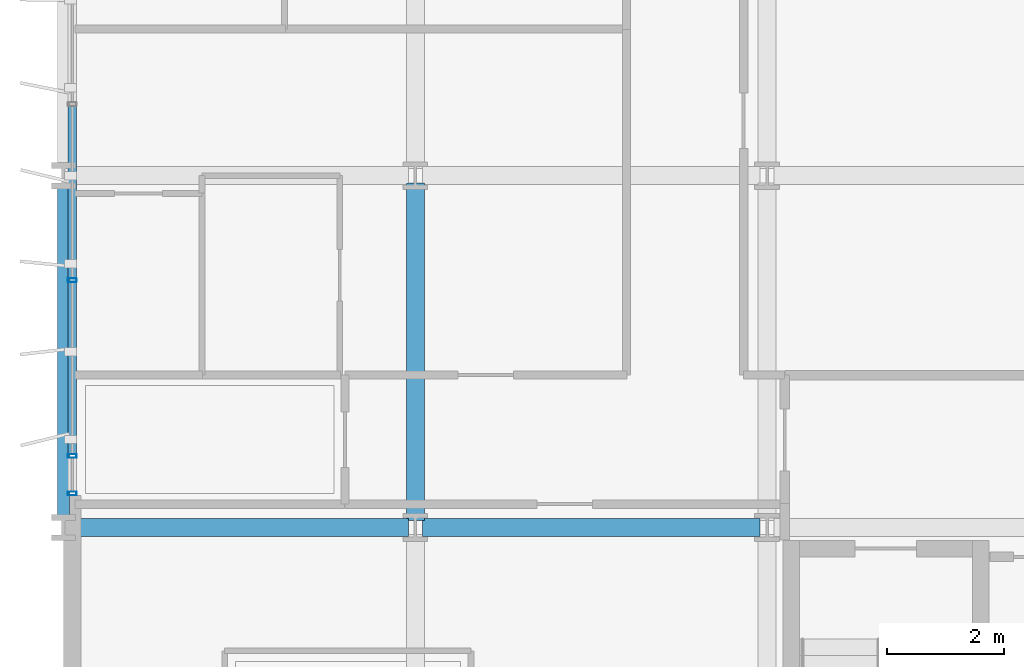
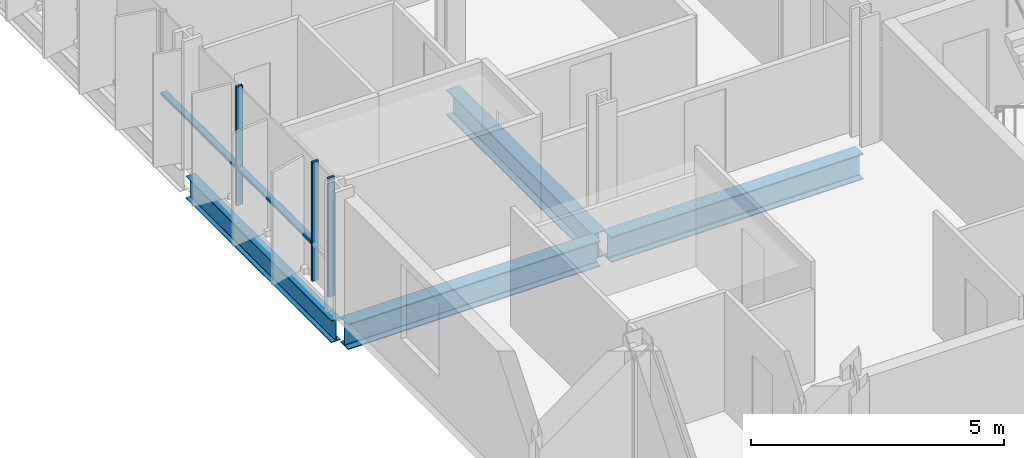
# One storey, part 2 of 38: 5 members, 4 beams, 1 element without a shape of its own.
"""IFC4 building model written with IfcOpenShell, lengths in metres."""

from ifc_helpers import new_model, si_unit, direction, frame, origin, origin_2d, place, context, subcontext, project, spatial, hollow_rectangle, i_section, extrude, material, layer, layer_set, material_profile, profile_set, type_object, element, aggregate, save


model = new_model("IFC4")

# Units and contexts
model_context = context("Model", 3, precision=1e-05, world=origin(), true_north=direction((0.0, 1.0)))
body_context = subcontext(model_context, "Body", "Model", "MODEL_VIEW")
ifc_project = project(units=[si_unit("LENGTHUNIT", "METRE"), si_unit("AREAUNIT", "SQUARE_METRE"), si_unit("VOLUMEUNIT", "CUBIC_METRE"), si_unit("PLANEANGLEUNIT", "RADIAN"), si_unit("MASSUNIT", "GRAM", prefix="KILO")], contexts=[model_context])

# Site, building, storey
site_placement = place(None, origin())
site = spatial("IfcSite", under=ifc_project, at=site_placement, CompositionType="ELEMENT")
building_placement = place(site_placement, origin())
building = spatial("IfcBuilding", under=site, at=building_placement, Name="Brevholm Reach", CompositionType="ELEMENT")
storey_placement = place(building_placement, frame((0.0, 0.0, 52.800048828125)))
storey = spatial("IfcBuildingStorey", under=building, at=storey_placement, Name="L14", CompositionType="ELEMENT", Elevation=52.800048828125)

# Beams
ifc_material_1 = material(Name="Structural Steel S355J2", Category="steel")
ifc_material_profile_1 = material_profile(ifc_material_1, i_section(OverallWidth=0.210693359375, OverallDepth=0.53955078125, WebThickness=0.01171875, FlangeThickness=0.018798828125, FilletRadius=0.0126953125, at=origin_2d()), Name="UKB 533x210x109")
ifc_profile_set_1 = profile_set([ifc_material_profile_1], Name="Structural Steel S355J2")
beam_type_1 = type_object("IfcBeamType", Name="BM-SP539", PredefinedType="SPANDREL", material=ifc_profile_set_1)
beam_placement = place(storey_placement, frame((0.0, 10.1201171875, -0.499755859375), z_axis=(0.0, 1.0, 0.0), x_axis=(-1.0, 0.0, 0.0)))
element("IfcBeam", 1, at=beam_placement, inside=storey, type_object=beam_type_1, Name="L14 SP-01B Framing Beam", PredefinedType="SPANDREL", context=body_context, shape_type="SweptSolid", body=[
    extrude(i_section(OverallWidth=0.210693359375, OverallDepth=0.53955078125, WebThickness=0.01171875, FlangeThickness=0.018798828125, FilletRadius=0.0126953125, at=origin_2d()), origin(), (0.0, 0.0, 1.0), 5.759765625),
])
ifc_material_2 = material(Name="Structural Steel S355J2", Category="steel")
ifc_material_profile_2 = material_profile(ifc_material_2, i_section(OverallWidth=0.30712890625, OverallDepth=0.6201171875, WebThickness=0.01416015625, FlangeThickness=0.023681640625, FilletRadius=0.0166015625, at=origin_2d()), Name="UKB 610x305x179")
ifc_profile_set_2 = profile_set([ifc_material_profile_2], Name="Structural Steel S355J2")
beam_type_2 = type_object("IfcBeamType", Name="BM-UKB610H", PredefinedType="USERDEFINED", material=ifc_profile_set_2)
for number, where, z_axis, x_axis, name in (
    (2, (0.1201171875, 10.0, -0.5400390625), (1.0, 0.0, 0.0), (0.0, 1.0, 0.0), "L14 G-06 Framing Beam"),
    (3, (6.1201171875, 10.0, -0.5400390625), (1.0, 0.0, 0.0), (0.0, 1.0, 0.0), "L14 G-06 Framing Beam"),
    (4, (6.0, 10.1201171875, -0.5400390625), (0.0, 1.0, 0.0), (-1.0, 0.0, 0.0), "L14 G-06 Framing Beam"),
):
    element("IfcBeam", number, at=place(storey_placement, frame(where, z_axis=z_axis, x_axis=x_axis)), inside=storey, type_object=beam_type_2, Name=name, ObjectType="GIRDER", PredefinedType="USERDEFINED", context=body_context, shape_type="SweptSolid", body=[
        extrude(i_section(OverallWidth=0.30712890625, OverallDepth=0.6201171875, WebThickness=0.01416015625, FlangeThickness=0.023681640625, FilletRadius=0.0166015625, at=origin_2d()), origin(), (0.0, 0.0, 1.0), 5.759765625),
    ])

# Curtain wall, members
ifc_material_3 = material(Name="Dark Anodised Aluminium 6063-T6 and Solar-Control Glass", Category="aluminium")
ifc_layer = layer(ifc_material_3, 0.14990234375)
ifc_layer_set = layer_set([ifc_layer], Name="Dark Anodised Aluminium 6063-T6 and Solar-Control Glass")
curtain_wall_type = type_object("IfcCurtainWallType", Name="CW-01", PredefinedType="NOTDEFINED", material=ifc_layer_set)
curtain_wall_placement = place(storey_placement, origin())
curtain_wall = element("IfcCurtainWall", 5, at=curtain_wall_placement, inside=storey, type_object=curtain_wall_type, Name="L14 Curtain Wall CW-01", PredefinedType="NOTDEFINED")
ifc_material_4 = material(Name="Dark Anodised Aluminium 6063-T6", Category="aluminium")
ifc_material_profile_3 = material_profile(ifc_material_4, hollow_rectangle(XDim=0.06494140625, YDim=0.14990234375, WallThickness=0.0048828125, InnerFilletRadius=0.0048828125, OuterFilletRadius=0.010009765625, at=origin_2d()), Name="RHS 150x65x5")
ifc_profile_set_3 = profile_set([ifc_material_profile_3], Name="Dark Anodised Aluminium 6063-T6")
member_type_1 = type_object("IfcMemberType", Name="CWM-150", PredefinedType="MULLION", material=ifc_profile_set_3)
member_1_placement = place(storey_placement, frame((0.14990234375, 14.219970703125, 0.0), z_axis=(0.0, 0.0, 1.0), x_axis=(0.0, -1.0, 0.0)))
member_1 = element("IfcMember", 6, at=member_1_placement, type_object=member_type_1, Name="CM-150 Mullion 4", PredefinedType="MULLION", context=body_context, shape_type="SweptSolid", body=[
    extrude(hollow_rectangle(XDim=0.06494140625, YDim=0.14990234375, WallThickness=0.0048828125, InnerFilletRadius=0.0048828125, OuterFilletRadius=0.010009765625, at=origin_2d()), origin(), (0.0, 0.0, 1.0), 2.869873046875),
])
member_2_placement = place(storey_placement, frame((0.14990234375, 11.219970703125, 0.0), z_axis=(0.0, 0.0, 1.0), x_axis=(0.0, -1.0, 0.0)))
member_2 = element("IfcMember", 7, at=member_2_placement, type_object=member_type_1, Name="CM-150 Mullion 5", PredefinedType="MULLION", context=body_context, shape_type="SweptSolid", body=[
    extrude(hollow_rectangle(XDim=0.06494140625, YDim=0.14990234375, WallThickness=0.0048828125, InnerFilletRadius=0.0048828125, OuterFilletRadius=0.010009765625, at=origin_2d()), origin(), (0.0, 0.0, 1.0), 2.869873046875),
])
member_3_placement = place(storey_placement, frame((0.14990234375, 10.58251953125, 0.0), z_axis=(0.0, 0.0, 1.0), x_axis=(0.0, -1.0, 0.0)))
member_3 = element("IfcMember", 8, at=member_3_placement, type_object=member_type_1, Name="CM-150 Mullion 6", PredefinedType="MULLION", context=body_context, shape_type="SweptSolid", body=[
    extrude(hollow_rectangle(XDim=0.06494140625, YDim=0.14990234375, WallThickness=0.0048828125, InnerFilletRadius=0.0048828125, OuterFilletRadius=0.010009765625, at=origin_2d()), origin(), (0.0, 0.0, 1.0), 2.869873046875),
])
ifc_material_5 = material(Name="Dark Anodised Aluminium 6063-T6", Category="aluminium")
ifc_material_profile_4 = material_profile(ifc_material_5, hollow_rectangle(XDim=0.06494140625, YDim=0.14990234375, WallThickness=0.0048828125, InnerFilletRadius=0.0048828125, OuterFilletRadius=0.010009765625, at=origin_2d()), Name="RHS 150x65x5")
ifc_profile_set_4 = profile_set([ifc_material_profile_4], Name="Dark Anodised Aluminium 6063-T6")
member_type_2 = type_object("IfcMemberType", Name="CWT-150", PredefinedType="NOTDEFINED", material=ifc_profile_set_4)
member_4_placement = place(storey_placement, frame((0.14990234375, 17.1875, 0.89990234375), z_axis=(0.0, -1.0, 0.0), x_axis=(0.0, 0.0, 1.0)))
member_4 = element("IfcMember", 9, at=member_4_placement, type_object=member_type_2, Name="CT-150 Transom 3.1", ObjectType="TRANSOM", PredefinedType="USERDEFINED", context=body_context, shape_type="SweptSolid", body=[
    extrude(hollow_rectangle(XDim=0.06494140625, YDim=0.14990234375, WallThickness=0.0048828125, InnerFilletRadius=0.0048828125, OuterFilletRadius=0.010009765625, at=origin_2d()), origin(), (0.0, 0.0, 1.0), 2.93505859375),
])
member_5_placement = place(storey_placement, frame((0.14990234375, 14.1875, 0.89990234375), z_axis=(0.0, -1.0, 0.0), x_axis=(0.0, 0.0, 1.0)))
member_5 = element("IfcMember", 10, at=member_5_placement, type_object=member_type_2, Name="CT-150 Transom 4.1", ObjectType="TRANSOM", PredefinedType="USERDEFINED", context=body_context, shape_type="SweptSolid", body=[
    extrude(hollow_rectangle(XDim=0.06494140625, YDim=0.14990234375, WallThickness=0.0048828125, InnerFilletRadius=0.0048828125, OuterFilletRadius=0.010009765625, at=origin_2d()), origin(), (0.0, 0.0, 1.0), 2.93505859375),
])
aggregate(curtain_wall, [member_1, member_2, member_3, member_4, member_5])

save(model, "model.ifc")
